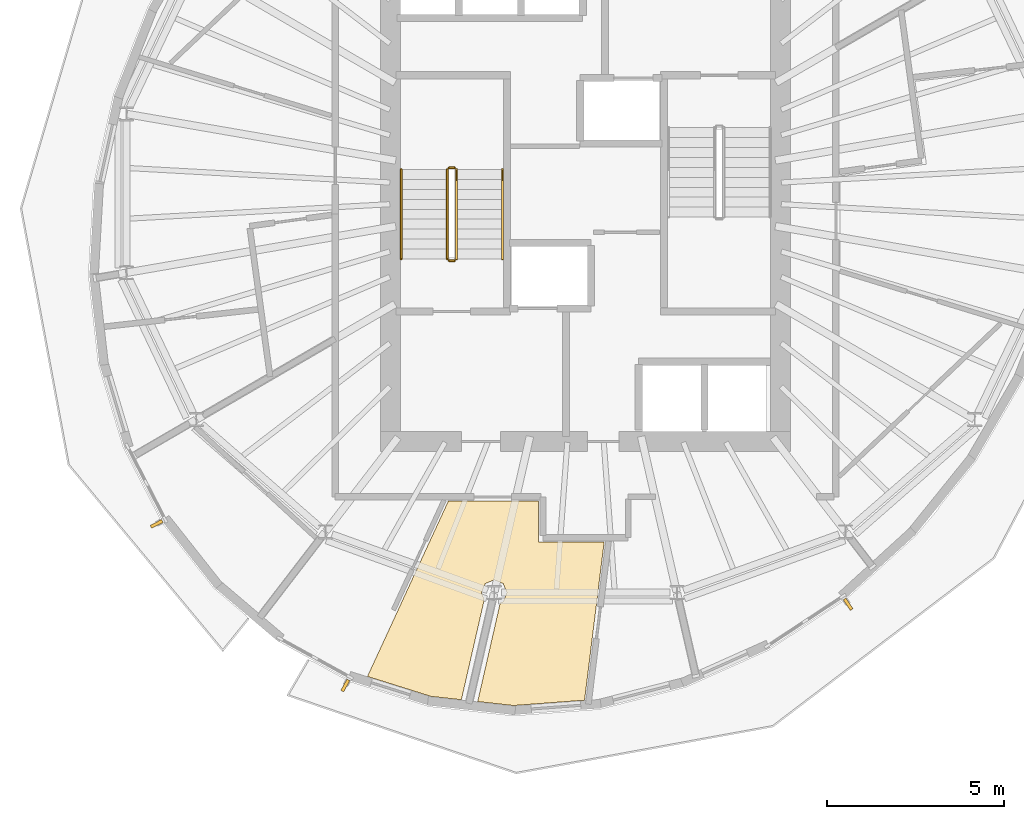
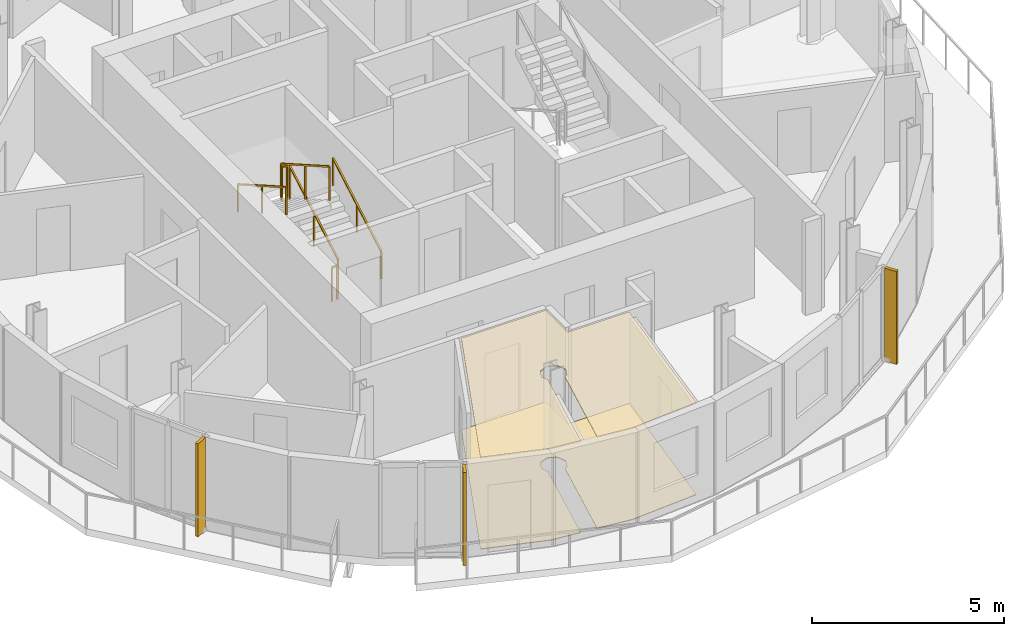
# One storey, part 8 of 11: 6 railings, 3 shading devices, 2 coverings.
"""IFC4 building model written with IfcOpenShell, lengths in metres."""

from ifc_helpers import new_model, si_unit, direction, frame, origin, origin_2d, place, context, subcontext, project, spatial, polyline, rectangle, outline, extrude, material, layer, layer_set, type_object, element, save


model = new_model("IFC4")

# Units and contexts
model_context = context("Model", 3, precision=1e-05, world=origin(), true_north=direction((0.0, 1.0)))
body_context = subcontext(model_context, "Body", "Model", "MODEL_VIEW")
ifc_project = project(units=[si_unit("LENGTHUNIT", "METRE"), si_unit("AREAUNIT", "SQUARE_METRE"), si_unit("VOLUMEUNIT", "CUBIC_METRE"), si_unit("PLANEANGLEUNIT", "RADIAN"), si_unit("MASSUNIT", "GRAM", prefix="KILO")], contexts=[model_context])

# Site, building, storey
site_placement = place(None, origin())
site = spatial("IfcSite", under=ifc_project, at=site_placement, CompositionType="ELEMENT")
building_placement = place(site_placement, origin())
building = spatial("IfcBuilding", under=site, at=building_placement, Name="Veldorim Arch Residences", CompositionType="ELEMENT")
storey_placement = place(building_placement, frame((0.0, 0.0, 227.0400390625)))
storey = spatial("IfcBuildingStorey", under=building, at=storey_placement, Name="L68", CompositionType="ELEMENT", Elevation=227.0400390625)

# Railings
ifc_material_1 = material(Name="Steel S355", Category="steel")
railing_type_1 = type_object("IfcRailingType", Name="Galvanised Steel Stair Safety Guardrail 1100", PredefinedType="GUARDRAIL", material=ifc_material_1)
railing_1_placement = place(storey_placement, frame((28.360107421875, 22.14990234375, 0.159912109375)))
element("IfcRailing", 1, at=railing_1_placement, inside=storey, type_object=railing_type_1, Name="L68 ST-1 stair guard 1", PredefinedType="GUARDRAIL", context=body_context, shape_type="SweptSolid", body=[
    extrude(rectangle(XDim=0.048095703125, YDim=0.048095703125, at=origin_2d()), frame((0.0, 0.0, 1.076171875), z_axis=(0.0, 0.868253494771, 0.496120820787), x_axis=(-1.0, 0.0, 0.0)), (0.0, 0.0, 1.0), 2.90234375),
    extrude(rectangle(XDim=0.0419921875, YDim=0.0419921875, at=origin_2d()), origin(), (0.0, 0.0, 1.0), 1.052001953125),
    extrude(rectangle(XDim=0.0419921875, YDim=0.0419921875, at=origin_2d()), frame((0.0, 1.260009765625, 0.719970703125)), (0.0, 0.0, 1.0), 1.052001953125),
    extrude(rectangle(XDim=0.0419921875, YDim=0.0419921875, at=origin_2d()), frame((0.0, 2.52001953125, 1.43994140625)), (0.0, 0.0, 1.0), 1.052001953125),
])
railing_2_placement = place(storey_placement, frame((28.31005859375, 24.719970703125, 1.599853515625)))
element("IfcRailing", 2, at=railing_2_placement, inside=storey, type_object=railing_type_1, Name="L68 ST-1 stair guard 2", PredefinedType="GUARDRAIL", context=body_context, shape_type="SweptSolid", body=[
    extrude(rectangle(XDim=0.048095703125, YDim=0.048095703125, at=origin_2d()), frame((0.0, 0.0, 1.076171875), z_axis=(-1.0, 0.0, 0.0), x_axis=(0.0, -1.0, 0.0)), (0.0, 0.0, 1.0), 0.16015625),
    extrude(rectangle(XDim=0.0419921875, YDim=0.0419921875, at=origin_2d()), origin(), (0.0, 0.0, 1.0), 1.052001953125),
    extrude(rectangle(XDim=0.0419921875, YDim=0.0419921875, at=origin_2d()), frame((-0.16015625, 0.0, 0.0)), (0.0, 0.0, 1.0), 1.052001953125),
])
railing_3_placement = place(storey_placement, frame((28.10009765625, 24.669921875, 1.760009765625)))
element("IfcRailing", 3, at=railing_3_placement, inside=storey, type_object=railing_type_1, Name="L68 ST-1 stair guard 3", PredefinedType="GUARDRAIL", context=body_context, shape_type="SweptSolid", body=[
    extrude(rectangle(XDim=0.048095703125, YDim=0.048095703125, at=origin_2d()), frame((0.0, 0.0, 1.076171875), z_axis=(0.0, -0.868253494771, 0.496120820787), x_axis=(1.0, 0.0, 0.0)), (0.0, 0.0, 1.0), 2.90234375),
    extrude(rectangle(XDim=0.0419921875, YDim=0.0419921875, at=origin_2d()), origin(), (0.0, 0.0, 1.0), 1.052001953125),
    extrude(rectangle(XDim=0.0419921875, YDim=0.0419921875, at=origin_2d()), frame((0.0, -1.260009765625, 0.719970703125)), (0.0, 0.0, 1.0), 1.052001953125),
    extrude(rectangle(XDim=0.0419921875, YDim=0.0419921875, at=origin_2d()), frame((0.0, -2.52001953125, 1.43994140625)), (0.0, 0.0, 1.0), 1.052001953125),
])
railing_4_placement = place(storey_placement, frame((28.31005859375, 22.10009765625, 0.0)))
element("IfcRailing", 4, at=railing_4_placement, inside=storey, type_object=railing_type_1, Name="L68 ST-1 stair guard 4", PredefinedType="GUARDRAIL", context=body_context, shape_type="SweptSolid", body=[
    extrude(rectangle(XDim=0.048095703125, YDim=0.048095703125, at=origin_2d()), frame((0.0, 0.0, 1.076171875), z_axis=(-1.0, 0.0, 0.0), x_axis=(0.0, -1.0, 0.0)), (0.0, 0.0, 1.0), 0.16015625),
    extrude(rectangle(XDim=0.0419921875, YDim=0.0419921875, at=origin_2d()), origin(), (0.0, 0.0, 1.0), 1.052001953125),
    extrude(rectangle(XDim=0.0419921875, YDim=0.0419921875, at=origin_2d()), frame((-0.16015625, 0.0, 0.0)), (0.0, 0.0, 1.0), 1.052001953125),
])

# Coverings
ifc_material_2 = material(Name="Acoustic Gypsum & Mineral Fibre", Category="gypsum")
ifc_layer_1 = layer(ifc_material_2, 0.034912109375, Name="Perforated Acoustic Mineral-Fibre Ceiling 35")
ifc_layer_set_1 = layer_set([ifc_layer_1], Name="Acoustic Gypsum & Mineral Fibre")
covering_type_1 = type_object("IfcCoveringType", Name="Perforated Acoustic Mineral-Fibre Ceiling 35", PredefinedType="CEILING", material=ifc_layer_set_1)
covering_1_placement = place(storey_placement, frame((0.0, 0.0, 2.905029296875)))
element("IfcCovering", 5, at=covering_1_placement, inside=storey, type_object=covering_type_1, Name="L68 acoustic suspended ceiling 01", PredefinedType="CEILING", context=body_context, shape_type="SweptSolid", body=[
    extrude(outline(polyline([(29.59423828125, 12.451416015625), (29.678955078125, 12.486572265625), (29.7841796875, 12.740478515625), (29.678955078125, 12.99462890625), (29.4248046875, 13.10009765625), (29.170654296875, 12.99462890625), (29.0654296875, 12.740478515625), (29.14501953125, 12.548095703125), (28.498291015625, 9.719970703125), (27.63916015625, 9.815673828125), (25.85009765625, 10.37744140625), (28.12939453125, 15.320068359375), (30.679931640625, 15.320068359375), (30.679931640625, 14.169921875), (32.525146484375, 14.169921875), (31.971923828125, 9.70751953125), (29.963134765625, 9.556884765625), (28.9580078125, 9.668701171875), (29.59423828125, 12.451416015625)])), origin(), (0.0, 0.0, 1.0), 0.034912109375),
])
ifc_material_3 = material(Name="Porcelain Ceramic Tile", Category="ceramic")
ifc_layer_2 = layer(ifc_material_3, 0.02001953125, Name="Slip-Resistant Porcelain & Vinyl Floor Finish 20")
ifc_layer_set_2 = layer_set([ifc_layer_2], Name="Porcelain Ceramic Tile")
covering_type_2 = type_object("IfcCoveringType", Name="Slip-Resistant Porcelain & Vinyl Floor Finish 20", PredefinedType="FLOORING", material=ifc_layer_set_2)
covering_2_placement = place(storey_placement, origin())
element("IfcCovering", 6, at=covering_2_placement, inside=storey, type_object=covering_type_2, Name="L68 porcelain floor finish 01", PredefinedType="FLOORING", context=body_context, shape_type="SweptSolid", body=[
    extrude(outline(polyline([(29.59423828125, 12.451416015625), (29.678955078125, 12.486572265625), (29.7841796875, 12.740478515625), (29.678955078125, 12.99462890625), (29.4248046875, 13.10009765625), (29.170654296875, 12.99462890625), (29.0654296875, 12.740478515625), (29.14501953125, 12.548095703125), (28.498291015625, 9.719970703125), (27.63916015625, 9.815673828125), (25.85009765625, 10.37744140625), (28.12939453125, 15.320068359375), (30.679931640625, 15.320068359375), (30.679931640625, 14.169921875), (32.525146484375, 14.169921875), (31.971923828125, 9.70751953125), (29.963134765625, 9.556884765625), (28.9580078125, 9.668701171875), (29.59423828125, 12.451416015625)])), origin(), (0.0, 0.0, 1.0), 0.02001953125),
])

# Railings
ifc_material_4 = material(Name="Stainless Steel", Category="steel")
railing_type_2 = type_object("IfcRailingType", Name="Tubular Steel Continuous Wall Handrail 900", PredefinedType="HANDRAIL", material=ifc_material_4)
railing_5_placement = place(storey_placement, frame((29.659912109375, 22.14990234375, 0.159912109375)))
element("IfcRailing", 7, at=railing_5_placement, inside=storey, type_object=railing_type_2, Name="L68 ST-1 stair handrail 1", PredefinedType="HANDRAIL", context=body_context, shape_type="SweptSolid", body=[
    extrude(rectangle(XDim=0.048095703125, YDim=0.048095703125, at=origin_2d()), frame((0.0, 0.0, 0.8759765625), z_axis=(0.0, 0.868253494771, 0.496120820787), x_axis=(-1.0, 0.0, 0.0)), (0.0, 0.0, 1.0), 2.90234375),
    extrude(rectangle(XDim=0.0419921875, YDim=0.0419921875, at=origin_2d()), origin(), (0.0, 0.0, 1.0), 0.851806640625),
    extrude(rectangle(XDim=0.0419921875, YDim=0.0419921875, at=origin_2d()), frame((0.0, 1.260009765625, 0.719970703125)), (0.0, 0.0, 1.0), 0.851806640625),
    extrude(rectangle(XDim=0.0419921875, YDim=0.0419921875, at=origin_2d()), frame((0.0, 2.52001953125, 1.43994140625)), (0.0, 0.0, 1.0), 0.851806640625),
])
railing_6_placement = place(storey_placement, frame((26.800048828125, 24.669921875, 1.760009765625)))
element("IfcRailing", 8, at=railing_6_placement, inside=storey, type_object=railing_type_2, Name="L68 ST-1 stair handrail 2", PredefinedType="HANDRAIL", context=body_context, shape_type="SweptSolid", body=[
    extrude(rectangle(XDim=0.048095703125, YDim=0.048095703125, at=origin_2d()), frame((0.0, 0.0, 0.8759765625), z_axis=(0.0, -0.868253494771, 0.496120820787), x_axis=(1.0, 0.0, 0.0)), (0.0, 0.0, 1.0), 2.90234375),
    extrude(rectangle(XDim=0.0419921875, YDim=0.0419921875, at=origin_2d()), origin(), (0.0, 0.0, 1.0), 0.851806640625),
    extrude(rectangle(XDim=0.0419921875, YDim=0.0419921875, at=origin_2d()), frame((0.0, -1.260009765625, 0.719970703125)), (0.0, 0.0, 1.0), 0.851806640625),
    extrude(rectangle(XDim=0.0419921875, YDim=0.0419921875, at=origin_2d()), frame((0.0, -2.52001953125, 1.43994140625)), (0.0, 0.0, 1.0), 0.851806640625),
])

# Shading devices
ifc_material_5 = material(Name="Terracotta Ceramic", Category="masonry")
ifc_layer_3 = layer(ifc_material_5, 0.090087890625, Name="Vertical Extruded Terracotta Baguette Sun-Shading Fin")
ifc_layer_set_3 = layer_set([ifc_layer_3], Name="Terracotta Ceramic")
shading_device_type = type_object("IfcShadingDeviceType", Name="Vertical Extruded Terracotta Baguette Sun-Shading Fin", PredefinedType="USERDEFINED", material=ifc_layer_set_3)
for number, where, z_axis, x_axis, name in (
    (9, (19.90234375, 14.678466796875, 0.0), (0.0, 0.0, 1.0), (-0.457718745382, 0.889097042019, 0.0), "L68 vertical terracotta sun-shading fin 16"),
    (10, (25.2255859375, 10.121337890625, 0.0), (0.0, 0.0, 1.0), (-0.876222584819, 0.481906611132, 0.0), "L68 vertical terracotta sun-shading fin 19"),
    (11, (39.40478515625, 12.41162109375, 0.0), (0.0, 0.0, 1.0), (-0.835135979853, -0.550043539327, 0.0), "L68 vertical terracotta sun-shading fin 25"),
):
    element("IfcShadingDevice", number, at=place(storey_placement, frame(where, z_axis=z_axis, x_axis=x_axis)), inside=storey, type_object=shading_device_type, Name=name, ObjectType="FIN", PredefinedType="USERDEFINED", context=body_context, shape_type="SweptSolid", body=[
        extrude(rectangle(XDim=0.090087890625, YDim=0.360107421875, at=origin_2d()), origin(), (0.0, 0.0, 1.0), 2.9599609375),
    ])

save(model, "model.ifc")
